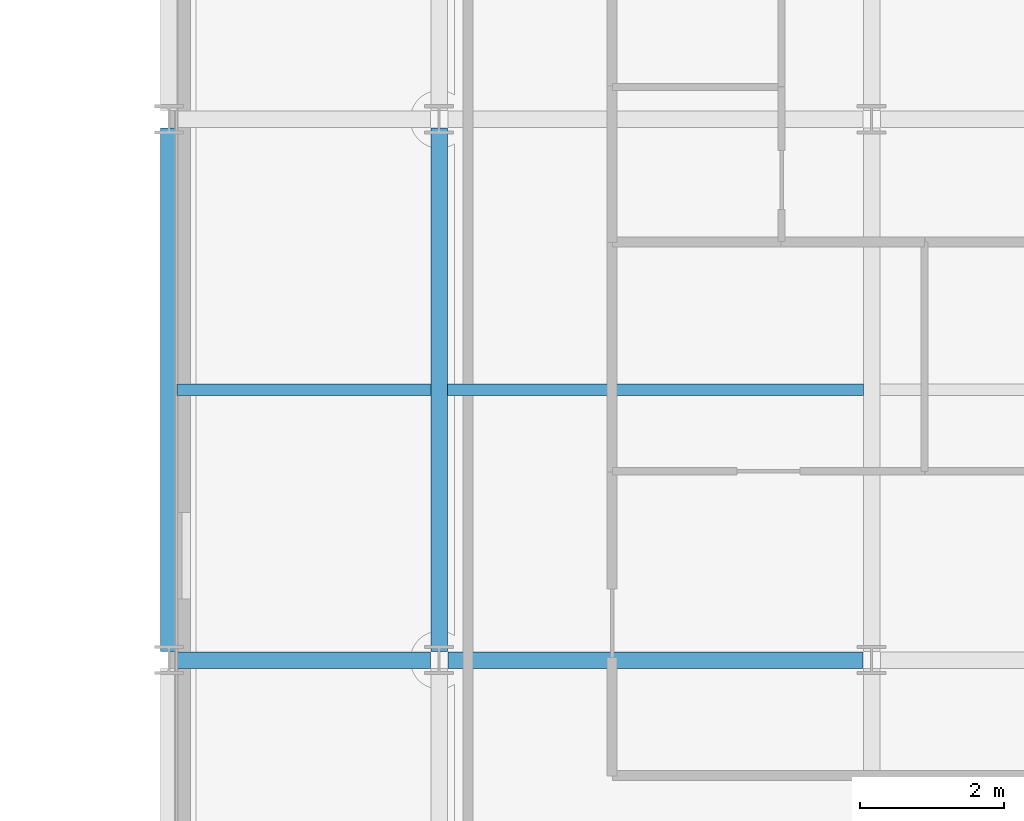
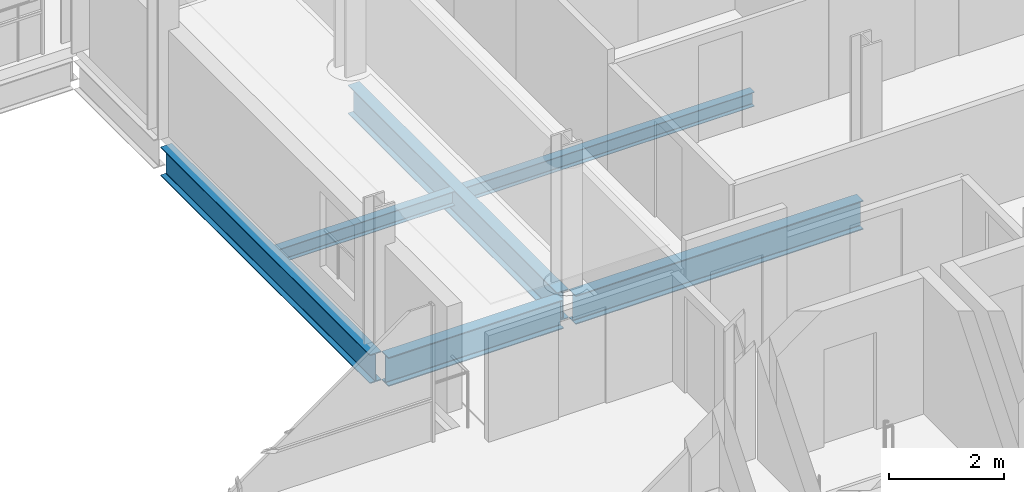
# One storey, part 18 of 41: 6 beams.
"""IFC4 building model written with IfcOpenShell, lengths in metres."""

from ifc_helpers import new_model, si_unit, direction, frame, origin, origin_2d, place, context, subcontext, project, spatial, i_section, extrude, material, material_profile, profile_set, type_object, element, save


model = new_model("IFC4")

# Units and contexts
model_context = context("Model", 3, precision=1e-05, world=origin(), true_north=direction((0.0, 1.0)))
body_context = subcontext(model_context, "Body", "Model", "MODEL_VIEW")
ifc_project = project(units=[si_unit("LENGTHUNIT", "METRE"), si_unit("AREAUNIT", "SQUARE_METRE"), si_unit("VOLUMEUNIT", "CUBIC_METRE"), si_unit("PLANEANGLEUNIT", "RADIAN"), si_unit("MASSUNIT", "GRAM", prefix="KILO")], contexts=[model_context])

# Site, building, storey
site_placement = place(None, origin())
site = spatial("IfcSite", under=ifc_project, at=site_placement, CompositionType="ELEMENT")
building_placement = place(site_placement, origin())
building = spatial("IfcBuilding", under=site, at=building_placement, Name="Brevholm Reach", CompositionType="ELEMENT")
storey_placement = place(building_placement, frame((0.0, 0.0, 169.699951171875)))
storey = spatial("IfcBuildingStorey", under=building, at=storey_placement, Name="L51", CompositionType="ELEMENT", Elevation=169.699951171875)

# Beams
ifc_material_1 = material(Name="Structural Steel S355J2", Category="steel")
ifc_material_profile_1 = material_profile(ifc_material_1, i_section(OverallWidth=0.1650390625, OverallDepth=0.303466796875, WebThickness=0.006103515625, FlangeThickness=0.01025390625, FilletRadius=0.0087890625, at=origin_2d()), Name="UKB 305x165x40")
ifc_profile_set_1 = profile_set([ifc_material_profile_1], Name="Structural Steel S355J2")
beam_type_1 = type_object("IfcBeamType", Name="BM-B305", PredefinedType="BEAM", material=ifc_profile_set_1)
beam_1_placement = place(storey_placement, frame((38.364501953125, 19.75, -0.37158203125), z_axis=(1.0, 0.0, 0.0), x_axis=(0.0, 1.0, 0.0)))
element("IfcBeam", 1, at=beam_1_placement, inside=storey, type_object=beam_type_1, Name="L51 Composite Secondary Floor Beam", PredefinedType="BEAM", context=body_context, shape_type="SweptSolid", body=[
    extrude(i_section(OverallWidth=0.1650390625, OverallDepth=0.303466796875, WebThickness=0.006103515625, FlangeThickness=0.01025390625, FilletRadius=0.0087890625, at=origin_2d()), origin(), (0.0, 0.0, 1.0), 3.52099609375),
])
beam_2_placement = place(storey_placement, frame((42.114501953125, 19.75, -0.37158203125), z_axis=(1.0, 0.0, 0.0), x_axis=(0.0, 1.0, 0.0)))
element("IfcBeam", 2, at=beam_2_placement, inside=storey, type_object=beam_type_1, Name="L51 Composite Secondary Floor Beam", PredefinedType="BEAM", context=body_context, shape_type="SweptSolid", body=[
    extrude(i_section(OverallWidth=0.1650390625, OverallDepth=0.303466796875, WebThickness=0.006103515625, FlangeThickness=0.01025390625, FilletRadius=0.0087890625, at=origin_2d()), origin(), (0.0, 0.0, 1.0), 5.77099609375),
])
ifc_material_2 = material(Name="Structural Steel S355J2", Category="steel")
ifc_material_profile_2 = material_profile(ifc_material_2, i_section(OverallWidth=0.22900390625, OverallDepth=0.6123046875, WebThickness=0.011962890625, FlangeThickness=0.01953125, FilletRadius=0.0126953125, at=origin_2d()), Name="UKB 610x229x125")
ifc_profile_set_2 = profile_set([ifc_material_profile_2], Name="Structural Steel S355J2")
beam_type_2 = type_object("IfcBeamType", Name="BM-SP610", PredefinedType="SPANDREL", material=ifc_profile_set_2)
beam_3_placement = place(storey_placement, frame((38.3701171875, 16.0, -0.526123046875), z_axis=(1.0, 0.0, 0.0), x_axis=(0.0, 1.0, 0.0)))
element("IfcBeam", 3, at=beam_3_placement, inside=storey, type_object=beam_type_2, Name="L51 SP-01 Framing Beam", PredefinedType="SPANDREL", context=body_context, shape_type="SweptSolid", body=[
    extrude(i_section(OverallWidth=0.22900390625, OverallDepth=0.6123046875, WebThickness=0.011962890625, FlangeThickness=0.01953125, FilletRadius=0.0126953125, at=origin_2d()), origin(), (0.0, 0.0, 1.0), 3.509765625),
])
beam_4_placement = place(storey_placement, frame((42.1201171875, 16.0, -0.526123046875), z_axis=(1.0, 0.0, 0.0), x_axis=(0.0, 1.0, 0.0)))
element("IfcBeam", 4, at=beam_4_placement, inside=storey, type_object=beam_type_2, Name="L51 SP-01 Framing Beam", PredefinedType="SPANDREL", context=body_context, shape_type="SweptSolid", body=[
    extrude(i_section(OverallWidth=0.22900390625, OverallDepth=0.6123046875, WebThickness=0.011962890625, FlangeThickness=0.01953125, FilletRadius=0.0126953125, at=origin_2d()), origin(), (0.0, 0.0, 1.0), 5.759765625),
])
for number, where, z_axis, x_axis, name in (
    (5, (38.25, 16.1201171875, -0.526123046875), (0.0, 1.0, 0.0), (-1.0, 0.0, 0.0), "L51 SP-01 Framing Beam"),
    (6, (42.0, 16.1201171875, -0.526123046875), (0.0, 1.0, 0.0), (-1.0, 0.0, 0.0), "L51 SP-01 Framing Beam"),
):
    element("IfcBeam", number, at=place(storey_placement, frame(where, z_axis=z_axis, x_axis=x_axis)), inside=storey, type_object=beam_type_2, Name=name, PredefinedType="SPANDREL", context=body_context, shape_type="SweptSolid", body=[
        extrude(i_section(OverallWidth=0.22900390625, OverallDepth=0.6123046875, WebThickness=0.011962890625, FlangeThickness=0.01953125, FilletRadius=0.0126953125, at=origin_2d()), origin(), (0.0, 0.0, 1.0), 7.259765625),
    ])

save(model, "model.ifc")
